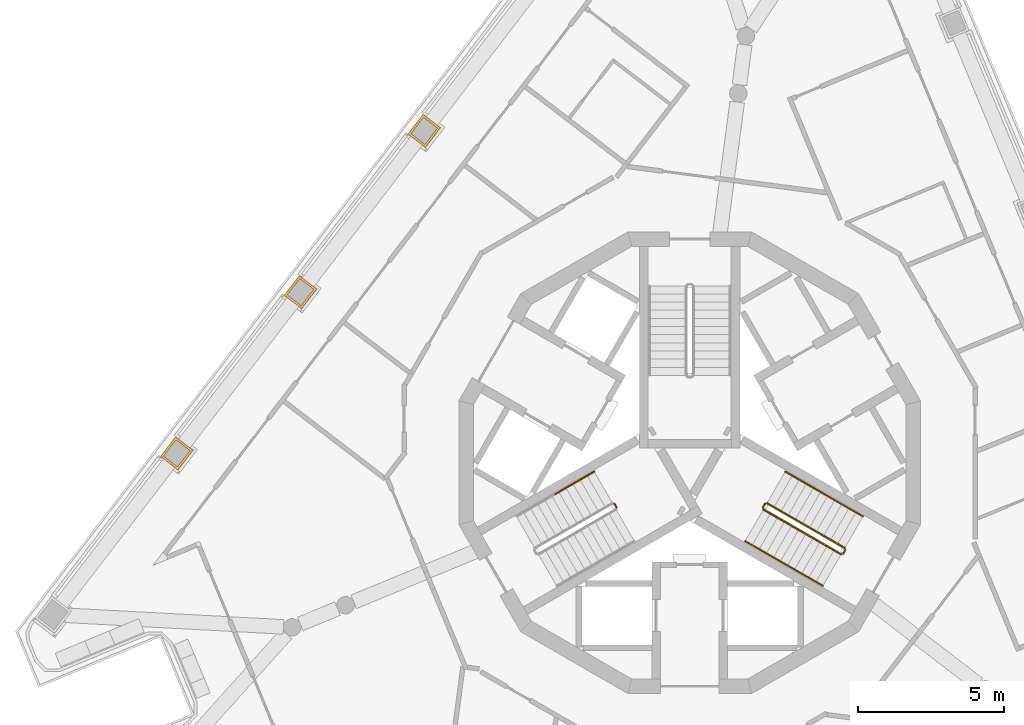
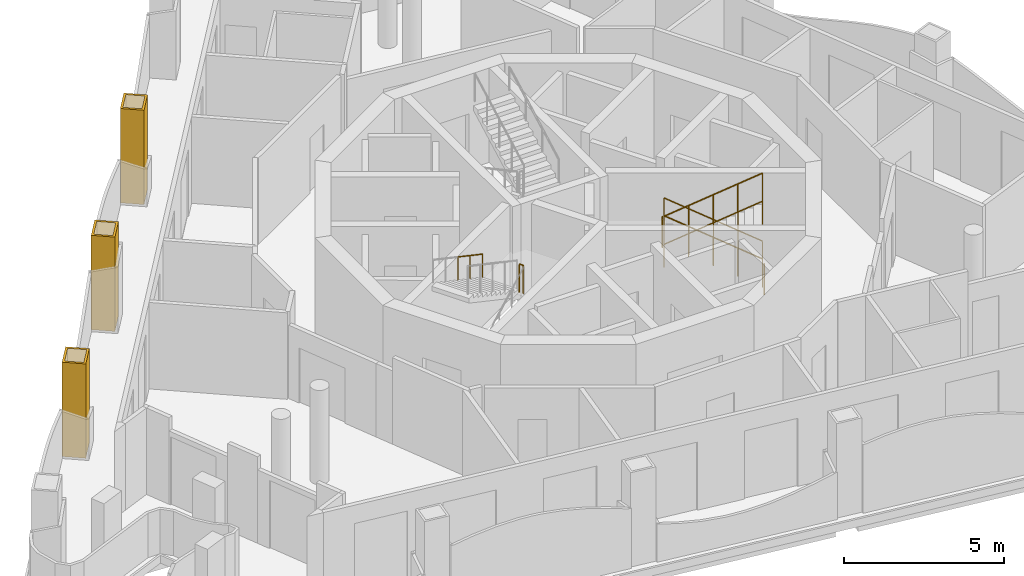
# One storey, part 8 of 12: 10 railings, 3 coverings.
"""IFC4 building model written with IfcOpenShell, lengths in metres."""

from ifc_helpers import new_model, si_unit, direction, frame, origin, origin_2d, place, context, subcontext, project, spatial, polyline, circle, outline, extrude, material, layer, layer_set, type_object, element, save


model = new_model("IFC4")

# Units and contexts
model_context = context("Model", 3, precision=1e-05, world=origin(), true_north=direction((0.0, 1.0)))
body_context = subcontext(model_context, "Body", "Model", "MODEL_VIEW")
ifc_project = project(units=[si_unit("LENGTHUNIT", "METRE"), si_unit("AREAUNIT", "SQUARE_METRE"), si_unit("VOLUMEUNIT", "CUBIC_METRE"), si_unit("PLANEANGLEUNIT", "RADIAN"), si_unit("MASSUNIT", "GRAM", prefix="KILO")], contexts=[model_context])

# Site, building, storey
site_placement = place(None, origin())
site = spatial("IfcSite", under=ifc_project, at=site_placement, CompositionType="ELEMENT")
building_placement = place(site_placement, origin())
building = spatial("IfcBuilding", under=site, at=building_placement, Name="Trine Commons Tower", CompositionType="ELEMENT")
storey_placement = place(building_placement, frame((0.0, 0.0, 282.60009765625)))
storey = spatial("IfcBuildingStorey", under=building, at=storey_placement, Name="L74", CompositionType="ELEMENT", Elevation=282.60009765625)

# Coverings
ifc_material_1 = material(Name="Limestone, honed", Category="masonry")
ifc_layer = layer(ifc_material_1, 0.074951171875)
ifc_layer_set = layer_set([ifc_layer], Name="Limestone, honed")
covering_type = type_object("IfcCoveringType", Name="Limestone column cladding 75", PredefinedType="CLADDING", material=ifc_layer_set)
covering_1_placement = place(storey_placement, origin())
element("IfcCovering", 1, at=covering_1_placement, inside=storey, type_object=covering_type, Name="Limestone pier cladding 8-08", PredefinedType="CLADDING", context=body_context, shape_type="SweptSolid", body=[
    extrude(outline(polyline([(62.95751953125, 62.929443359375), (62.362548828125, 63.385986328125), (61.84521484375, 62.711669921875), (62.440185546875, 62.2548828125), (62.95751953125, 62.929443359375)]), holes=[polyline([(62.8525390625, 62.91552734375), (62.37646484375, 63.28076171875), (61.9501953125, 62.7255859375), (62.42626953125, 62.360107421875), (62.8525390625, 62.91552734375)])]), origin(), (0.0, 0.0, 1.0), 3.599853515625),
])
covering_2_placement = place(storey_placement, origin())
element("IfcCovering", 2, at=covering_2_placement, inside=storey, type_object=covering_type, Name="Limestone pier cladding 8-09", PredefinedType="CLADDING", context=body_context, shape_type="SweptSolid", body=[
    extrude(outline(polyline([(67.202392578125, 68.461181640625), (66.607421875, 68.91796875), (66.08984375, 68.243408203125), (66.684814453125, 67.786865234375), (67.202392578125, 68.461181640625)]), holes=[polyline([(67.09716796875, 68.447509765625), (66.62109375, 68.812744140625), (66.195068359375, 68.25732421875), (66.6708984375, 67.89208984375), (67.09716796875, 68.447509765625)])]), origin(), (0.0, 0.0, 1.0), 3.599853515625),
])
covering_3_placement = place(storey_placement, origin())
element("IfcCovering", 3, at=covering_3_placement, inside=storey, type_object=covering_type, Name="Limestone pier cladding 8-10", PredefinedType="CLADDING", context=body_context, shape_type="SweptSolid", body=[
    extrude(outline(polyline([(71.447021484375, 73.9931640625), (70.85205078125, 74.44970703125), (70.334716796875, 73.775390625), (70.9296875, 73.318603515625), (71.447021484375, 73.9931640625)]), holes=[polyline([(71.341796875, 73.979248046875), (70.865966796875, 74.344482421875), (70.439697265625, 73.789306640625), (70.915771484375, 73.423828125), (71.341796875, 73.979248046875)])]), origin(), (0.0, 0.0, 1.0), 3.599853515625),
])

# Railings
ifc_material_2 = material(Name="Stainless steel balustrade", Category="steel")
railing_type_1 = type_object("IfcRailingType", Name="Stair guard, steel balustrade 1100", PredefinedType="GUARDRAIL", material=ifc_material_2)
railing_1_placement = place(storey_placement, frame((77.490966796875, 60.96484375, 1.7998046875)))
element("IfcRailing", 4, at=railing_1_placement, inside=storey, type_object=railing_type_1, Name="L74 ST2D stair guard 2", PredefinedType="GUARDRAIL", context=body_context, shape_type="SweptSolid", body=[
    extrude(circle(Radius=0.02392578125, at=origin_2d()), frame((0.0, 0.0, 1.076171875), z_axis=(-0.501036270542, 0.865426285481, 0.0), x_axis=(-0.865426285481, -0.501036270542, 0.0)), (0.0, 0.0, 1.0), 0.150146484375),
    extrude(circle(Radius=0.02099609375, at=origin_2d()), origin(), (0.0, 0.0, 1.0), 1.052001953125),
    extrude(circle(Radius=0.02099609375, at=origin_2d()), frame((-0.0751953125, 0.1298828125, 0.0)), (0.0, 0.0, 1.0), 1.052001953125),
])
railing_2_placement = place(storey_placement, frame((85.31982421875, 59.572998046875, 0.14990234375)))
element("IfcRailing", 5, at=railing_2_placement, inside=storey, type_object=railing_type_1, Name="L74 ST3D stair guard 1", PredefinedType="GUARDRAIL", context=body_context, shape_type="SweptSolid", body=[
    extrude(circle(Radius=0.02392578125, at=origin_2d()), frame((0.0, 0.0, 1.076171875), z_axis=(-0.76340495495, 0.440743040072, 0.472184759798), x_axis=(-0.499992328818, -0.866029832698, 0.0)), (0.0, 0.0, 1.0), 3.494140625),
    extrude(circle(Radius=0.02099609375, at=origin_2d()), origin(), (0.0, 0.0, 1.0), 1.052001953125),
    extrude(circle(Radius=0.02099609375, at=origin_2d()), frame((-0.6669921875, 0.385009765625, 0.41259765625)), (0.0, 0.0, 1.0), 1.052001953125),
    extrude(circle(Radius=0.02099609375, at=origin_2d()), frame((-1.333740234375, 0.77001953125, 0.824951171875)), (0.0, 0.0, 1.0), 1.052001953125),
    extrude(circle(Radius=0.02099609375, at=origin_2d()), frame((-2.00048828125, 1.155029296875, 1.2373046875)), (0.0, 0.0, 1.0), 1.052001953125),
    extrude(circle(Radius=0.02099609375, at=origin_2d()), frame((-2.66748046875, 1.5400390625, 1.64990234375)), (0.0, 0.0, 1.0), 1.052001953125),
])
railing_3_placement = place(storey_placement, frame((82.584228515625, 61.0947265625, 1.7998046875)))
element("IfcRailing", 6, at=railing_3_placement, inside=storey, type_object=railing_type_1, Name="L74 ST3D stair guard 2", PredefinedType="GUARDRAIL", context=body_context, shape_type="SweptSolid", body=[
    extrude(circle(Radius=0.02392578125, at=origin_2d()), frame((0.0, 0.0, 1.076171875), z_axis=(-0.501036270542, -0.865426285481, 0.0), x_axis=(0.865426285481, -0.501036270542, 0.0)), (0.0, 0.0, 1.0), 0.150146484375),
    extrude(circle(Radius=0.02099609375, at=origin_2d()), origin(), (0.0, 0.0, 1.0), 1.052001953125),
    extrude(circle(Radius=0.02099609375, at=origin_2d()), frame((-0.0751953125, -0.1298828125, 0.0)), (0.0, 0.0, 1.0), 1.052001953125),
])
railing_4_placement = place(storey_placement, frame((82.52734375, 60.896484375, 1.949951171875)))
element("IfcRailing", 7, at=railing_4_placement, inside=storey, type_object=railing_type_1, Name="L74 ST3D stair guard 3", PredefinedType="GUARDRAIL", context=body_context, shape_type="SweptSolid", body=[
    extrude(circle(Radius=0.02392578125, at=origin_2d()), frame((0.0, 0.0, 1.076171875), z_axis=(0.76340495495, -0.440743040072, 0.472184759798), x_axis=(0.499992328818, 0.866029832698, 0.0)), (0.0, 0.0, 1.0), 3.494140625),
    extrude(circle(Radius=0.02099609375, at=origin_2d()), origin(), (0.0, 0.0, 1.0), 1.052001953125),
    extrude(circle(Radius=0.02099609375, at=origin_2d()), frame((0.6669921875, -0.385009765625, 0.41259765625)), (0.0, 0.0, 1.0), 1.052001953125),
    extrude(circle(Radius=0.02099609375, at=origin_2d()), frame((1.333740234375, -0.77001953125, 0.824951171875)), (0.0, 0.0, 1.0), 1.052001953125),
    extrude(circle(Radius=0.02099609375, at=origin_2d()), frame((2.00048828125, -1.155029296875, 1.2373046875)), (0.0, 0.0, 1.0), 1.052001953125),
    extrude(circle(Radius=0.02099609375, at=origin_2d()), frame((2.66748046875, -1.5400390625, 1.64990234375)), (0.0, 0.0, 1.0), 1.052001953125),
])
railing_5_placement = place(storey_placement, frame((85.338134765625, 59.504638671875, 0.0)))
element("IfcRailing", 8, at=railing_5_placement, inside=storey, type_object=railing_type_1, Name="L74 ST3D stair guard 4", PredefinedType="GUARDRAIL", context=body_context, shape_type="SweptSolid", body=[
    extrude(circle(Radius=0.02392578125, at=origin_2d()), frame((0.0, 0.0, 1.076171875), z_axis=(-0.499816412211, -0.866131372301, 0.0), x_axis=(0.866131372301, -0.499816412211, 0.0)), (0.0, 0.0, 1.0), 0.14990234375),
    extrude(circle(Radius=0.02099609375, at=origin_2d()), origin(), (0.0, 0.0, 1.0), 1.052001953125),
    extrude(circle(Radius=0.02099609375, at=origin_2d()), frame((-0.074951171875, -0.1298828125, 0.0)), (0.0, 0.0, 1.0), 1.052001953125),
])
ifc_material_3 = material(Name="Stainless steel handrail", Category="steel")
railing_type_2 = type_object("IfcRailingType", Name="Stair handrail, steel 900", PredefinedType="HANDRAIL", material=ifc_material_3)
railing_6_placement = place(storey_placement, frame((76.72265625, 62.195556640625, 1.949951171875)))
element("IfcRailing", 9, at=railing_6_placement, inside=storey, type_object=railing_type_2, Name="L74 ST2D stair handrail 3", PredefinedType="HANDRAIL", context=body_context, shape_type="SweptSolid", body=[
    extrude(circle(Radius=0.02099609375, at=origin_2d()), frame((0.0, 0.0, 0.87890625), z_axis=(-0.76340495495, -0.440743040072, 0.472184759798), x_axis=(0.499992328818, -0.866029832698, 0.0)), (0.0, 0.0, 1.0), 1.7470703125),
    extrude(circle(Radius=0.01513671875, at=origin_2d()), origin(), (0.0, 0.0, 1.0), 0.85791015625),
    extrude(circle(Radius=0.01513671875, at=origin_2d()), frame((-0.6669921875, -0.385009765625, 0.41259765625)), (0.0, 0.0, 1.0), 0.85791015625),
    extrude(circle(Radius=0.01513671875, at=origin_2d()), frame((-1.333740234375, -0.77001953125, 0.824951171875)), (0.0, 0.0, 1.0), 0.85791015625),
])
for number, where, name in (
    (10, (85.94482421875, 60.655517578125, 0.14990234375), "L74 ST3D stair handrail 1"),
    (11, (84.611083984375, 61.425537109375, 0.974853515625), "L74 ST3D stair handrail 2"),
):
    element("IfcRailing", number, at=place(storey_placement, frame(where)), inside=storey, type_object=railing_type_2, Name=name, PredefinedType="HANDRAIL", context=body_context, shape_type="SweptSolid", body=[
        extrude(circle(Radius=0.02099609375, at=origin_2d()), frame((0.0, 0.0, 0.87890625), z_axis=(-0.76340495495, 0.440743040072, 0.472184759798), x_axis=(-0.499992328818, -0.866029832698, 0.0)), (0.0, 0.0, 1.0), 1.7470703125),
        extrude(circle(Radius=0.01513671875, at=origin_2d()), origin(), (0.0, 0.0, 1.0), 0.85791015625),
        extrude(circle(Radius=0.01513671875, at=origin_2d()), frame((-0.6669921875, 0.385009765625, 0.41259765625)), (0.0, 0.0, 1.0), 0.85791015625),
        extrude(circle(Radius=0.01513671875, at=origin_2d()), frame((-1.333740234375, 0.77001953125, 0.824951171875)), (0.0, 0.0, 1.0), 0.85791015625),
    ])
for number, where, name in (
    (12, (81.90234375, 59.81396484375, 1.949951171875), "L74 ST3D stair handrail 3"),
    (13, (83.236083984375, 59.0439453125, 2.77490234375), "L74 ST3D stair handrail 4"),
):
    element("IfcRailing", number, at=place(storey_placement, frame(where)), inside=storey, type_object=railing_type_2, Name=name, PredefinedType="HANDRAIL", context=body_context, shape_type="SweptSolid", body=[
        extrude(circle(Radius=0.02099609375, at=origin_2d()), frame((0.0, 0.0, 0.87890625), z_axis=(0.76340495495, -0.440743040072, 0.472184759798), x_axis=(0.499992328818, 0.866029832698, 0.0)), (0.0, 0.0, 1.0), 1.7470703125),
        extrude(circle(Radius=0.01513671875, at=origin_2d()), origin(), (0.0, 0.0, 1.0), 0.85791015625),
        extrude(circle(Radius=0.01513671875, at=origin_2d()), frame((0.6669921875, -0.385009765625, 0.41259765625)), (0.0, 0.0, 1.0), 0.85791015625),
        extrude(circle(Radius=0.01513671875, at=origin_2d()), frame((1.333740234375, -0.77001953125, 0.824951171875)), (0.0, 0.0, 1.0), 0.85791015625),
    ])

save(model, "model.ifc")
